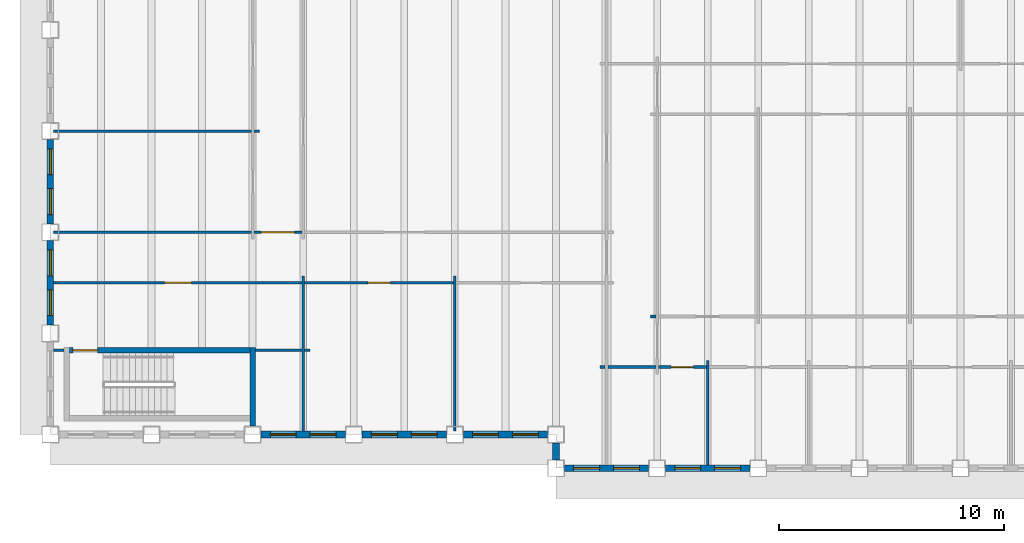
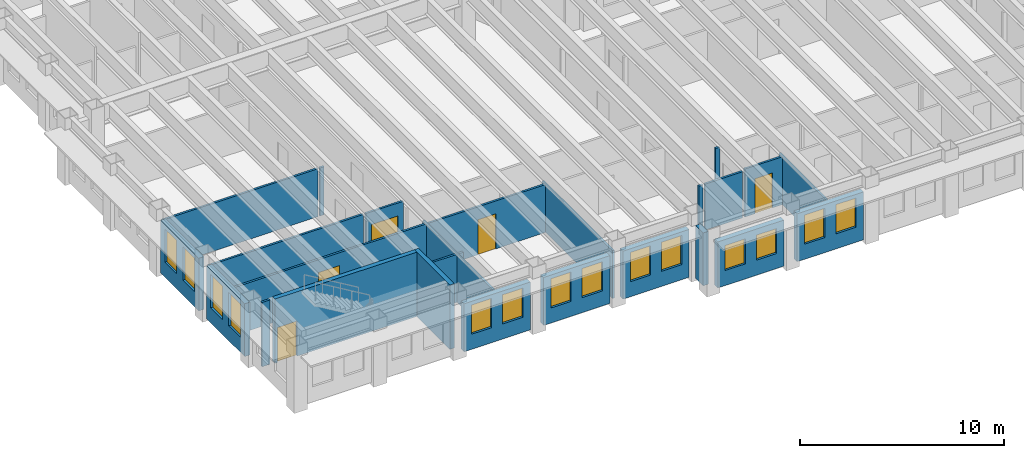
# One storey, part 3 of 17: 26 walls, 14 windows, 5 doors, 19 openings.
"""IFC4 building model written with IfcOpenShell, lengths in metres."""

from ifc_helpers import new_model, si_unit, direction, frame, frame_2d, origin, place, context, subcontext, project, spatial, rectangle, extrude, material, layer, layer_set, type_object, element, fill, save


model = new_model("IFC4")

# Units and contexts
model_context = context("Model", 3, precision=1e-05, world=origin(), true_north=direction((0.0, 1.0)))
body_context = subcontext(model_context, "Body", "Model", "MODEL_VIEW")
ifc_project = project(units=[si_unit("LENGTHUNIT", "METRE"), si_unit("AREAUNIT", "SQUARE_METRE"), si_unit("VOLUMEUNIT", "CUBIC_METRE"), si_unit("PLANEANGLEUNIT", "RADIAN"), si_unit("MASSUNIT", "GRAM", prefix="KILO")], contexts=[model_context])

# Site, building, storey
site_placement = place(None, origin())
site = spatial("IfcSite", under=ifc_project, at=site_placement, CompositionType="ELEMENT")
building_placement = place(site_placement, origin())
building = spatial("IfcBuilding", under=site, at=building_placement, Name="Sennacour Bend Tower", CompositionType="ELEMENT")
storey_placement = place(building_placement, frame((0.0, 0.0, 219.0)))
storey = spatial("IfcBuildingStorey", under=building, at=storey_placement, Name="L50", CompositionType="ELEMENT", Elevation=219.0)

# Walls
ifc_material_1 = material(Name="Plasterboard partition on steel studs", Category="steel")
ifc_layer_1 = layer(ifc_material_1, 0.1201171875, Name="Plasterboard partition on steel studs", Category="steel")
ifc_layer_set_1 = layer_set([ifc_layer_1], Name="Plasterboard partition on steel studs")
wall_type_1 = type_object("IfcWallType", Name="Partition 120", PredefinedType="PARTITIONING", material=ifc_layer_set_1)
for number, where, z_axis, x_axis, name in (
    (1, (11.25, 0.14990234375, 0.0), (0.0, 0.0, 1.0), (0.0, 1.0, 0.0), "P-L50-W012a"),
    (2, (18.0, 0.14990234375, 0.0), (0.0, 0.0, 1.0), (0.0, 1.0, 0.0), "P-L50-W017a"),
):
    element("IfcWall", number, at=place(storey_placement, frame(where, z_axis=z_axis, x_axis=x_axis)), inside=storey, type_object=wall_type_1, Name=name, PredefinedType="PARTITIONING", context=body_context, shape_type="SweptSolid", body=[
        extrude(rectangle(XDim=6.900146484375, YDim=0.1201171875, at=frame_2d((3.4501953125, 0.0))), origin(), (0.0, 0.0, 1.0), 2.8701171875),
    ])
wall_1_placement = place(storey_placement, frame((29.25, -1.35009765625, 0.0), z_axis=(0.0, 0.0, 1.0), x_axis=(0.0, 1.0, 0.0)))
element("IfcWall", 3, at=wall_1_placement, inside=storey, type_object=wall_type_1, Name="P-L50-W024a", PredefinedType="PARTITIONING", context=body_context, shape_type="SweptSolid", body=[
    extrude(rectangle(XDim=4.650146484375, YDim=0.1201171875, at=frame_2d((2.3251953125, 0.0))), origin(), (0.0, 0.0, 1.0), 2.8701171875),
])
wall_2_placement = place(storey_placement, frame((24.449951171875, 3.0, 0.0), z_axis=(0.0, 0.0, 1.0), x_axis=(1.0, 0.0, 0.0)))
element("IfcWall", 4, at=wall_2_placement, inside=storey, type_object=wall_type_1, Name="P-L50-W050aa", PredefinedType="PARTITIONING", context=body_context, shape_type="SweptSolid", body=[
    extrude(rectangle(XDim=0.239990234375, YDim=0.1201171875, at=frame_2d((0.1201171875, 0.0))), origin(), (0.0, 0.0, 1.0), 2.760009765625),
])
wall_3_placement = place(storey_placement, frame((24.81005859375, 3.0, 0.0), z_axis=(0.0, 0.0, 1.0), x_axis=(1.0, 0.0, 0.0)))
element("IfcWall", 5, at=wall_3_placement, inside=storey, type_object=wall_type_1, Name="P-L50-W050ab", PredefinedType="PARTITIONING", context=body_context, shape_type="SweptSolid", body=[
    extrude(rectangle(XDim=2.1298828125, YDim=0.1201171875, at=frame_2d((1.06494140625, 0.0))), origin(), (0.0, 0.0, 1.0), 2.760009765625),
])

# Wall, opening, door
wall_4_placement = place(storey_placement, frame((27.06005859375, 3.0, 0.0), z_axis=(0.0, 0.0, 1.0), x_axis=(1.0, 0.0, 0.0)))
wall_4 = element("IfcWall", 6, at=wall_4_placement, inside=storey, type_object=wall_type_1, Name="P-L50-W050ac", PredefinedType="PARTITIONING", context=body_context, shape_type="SweptSolid", body=[
    extrude(rectangle(XDim=2.1298828125, YDim=0.1201171875, at=frame_2d((1.06494140625, 0.0))), origin(), (0.0, 0.0, 1.0), 2.8701171875),
])
opening_1_placement = place(wall_4_placement, frame((0.56494140625, 0.0, 0.0)))
opening_1 = element("IfcOpeningElement", 7, at=opening_1_placement, cuts=wall_4, Name="Opening OD2", PredefinedType="OPENING", context=body_context, shape_type="SweptSolid", body=[
    extrude(rectangle(XDim=1.0, YDim=2.10009765625, at=frame_2d((0.5, 1.050048828125))), frame((0.0, 0.070068359375, 0.0), z_axis=(0.0, -1.0, 0.0), x_axis=(1.0, 0.0, 0.0)), (0.0, 0.0, 1.0), 0.14013671875),
])
ifc_material_2 = material(Name="Timber", Category="wood")
door_type_1 = type_object("IfcDoorType", Name="DR-OFFICE-1000", OperationType="NOTDEFINED", PredefinedType="DOOR", material=ifc_material_2)
door_1_placement = place(opening_1_placement, origin())
door_1 = element("IfcDoor", 8, at=door_1_placement, inside=storey, type_object=door_type_1, Name="Door", OperationType="SINGLE_SWING_LEFT", OverallHeight=2.10009765625, OverallWidth=1.0, PredefinedType="DOOR", context=body_context, shape_type="SweptSolid", body=[
    extrude(rectangle(XDim=1.0, YDim=2.10009765625, at=frame_2d((0.5, 1.050048828125))), frame((0.0, 0.02490234375, 0.0), z_axis=(0.0, -1.0, 0.0), x_axis=(1.0, 0.0, 0.0)), (0.0, 0.0, 1.0), 0.050048828125),
])
fill(opening_1, door_1)

# Walls
wall_5_placement = place(storey_placement, frame((0.14990234375, 3.75, 0.0), z_axis=(0.0, 0.0, 1.0), x_axis=(1.0, 0.0, 0.0)))
element("IfcWall", 9, at=wall_5_placement, inside=storey, type_object=wall_type_1, Name="P-L50-W051a", PredefinedType="PARTITIONING", context=body_context, shape_type="SweptSolid", body=[
    extrude(rectangle(XDim=0.4501953125, YDim=0.1201171875, at=frame_2d((0.22509765625, 0.0))), origin(), (0.0, 0.0, 1.0), 3.85009765625),
])
wall_6_placement = place(storey_placement, frame((9.125, 3.75, 0.0), z_axis=(0.0, 0.0, 1.0), x_axis=(1.0, 0.0, 0.0)))
element("IfcWall", 10, at=wall_6_placement, inside=storey, type_object=wall_type_1, Name="P-L50-W053aa", PredefinedType="PARTITIONING", context=body_context, shape_type="SweptSolid", body=[
    extrude(rectangle(XDim=2.06494140625, YDim=0.1201171875, at=frame_2d((1.032470703125, 0.0))), origin(), (0.0, 0.0, 1.0), 2.8701171875),
])
for number, where, z_axis, x_axis, name in (
    (11, (11.31005859375, 3.75, 0.0), (0.0, 0.0, 1.0), (1.0, 0.0, 0.0), "P-L50-W053ab"),
    (12, (26.699951171875, 5.25, 0.0), (0.0, 0.0, 1.0), (1.0, 0.0, 0.0), "P-L50-W056aa"),
):
    element("IfcWall", number, at=place(storey_placement, frame(where, z_axis=z_axis, x_axis=x_axis)), inside=storey, type_object=wall_type_1, Name=name, PredefinedType="PARTITIONING", context=body_context, shape_type="SweptSolid", body=[
        extrude(rectangle(XDim=0.239990234375, YDim=0.1201171875, at=frame_2d((0.1201171875, 0.0))), origin(), (0.0, 0.0, 1.0), 2.8701171875),
    ])

# Wall, opening, door
wall_7_placement = place(storey_placement, frame((11.31005859375, 6.75, 0.0), z_axis=(0.0, 0.0, 1.0), x_axis=(1.0, 0.0, 0.0)))
wall_7 = element("IfcWall", 13, at=wall_7_placement, inside=storey, type_object=wall_type_1, Name="P-L50-W058ab", PredefinedType="PARTITIONING", context=body_context, shape_type="SweptSolid", body=[
    extrude(rectangle(XDim=6.6298828125, YDim=0.1201171875, at=frame_2d((3.31494140625, 0.0))), origin(), (0.0, 0.0, 1.0), 2.8701171875),
])
opening_2_placement = place(wall_7_placement, frame((2.81494140625, 0.0, 0.0)))
opening_2 = element("IfcOpeningElement", 14, at=opening_2_placement, cuts=wall_7, Name="Opening OD2", PredefinedType="OPENING", context=body_context, shape_type="SweptSolid", body=[
    extrude(rectangle(XDim=1.0, YDim=2.10009765625, at=frame_2d((0.5, 1.050048828125))), frame((0.0, 0.070068359375, 0.0), z_axis=(0.0, -1.0, 0.0), x_axis=(1.0, 0.0, 0.0)), (0.0, 0.0, 1.0), 0.14013671875),
])
door_2_placement = place(opening_2_placement, origin())
door_2 = element("IfcDoor", 15, at=door_2_placement, inside=storey, type_object=door_type_1, Name="Door", OperationType="SINGLE_SWING_LEFT", OverallHeight=2.10009765625, OverallWidth=1.0, PredefinedType="DOOR", context=body_context, shape_type="SweptSolid", body=[
    extrude(rectangle(XDim=1.0, YDim=2.10009765625, at=frame_2d((0.5, 1.050048828125))), frame((0.0, 0.02490234375, 0.0), z_axis=(0.0, -1.0, 0.0), x_axis=(1.0, 0.0, 0.0)), (0.0, 0.0, 1.0), 0.050048828125),
])
fill(opening_2, door_2)

# Walls
for number, where, z_axis, x_axis, name in (
    (16, (0.14990234375, 9.0, 0.0), (0.0, 0.0, 1.0), (1.0, 0.0, 0.0), "P-L50-W060aa"),
    (17, (0.14990234375, 13.5, 0.0), (0.0, 0.0, 1.0), (1.0, 0.0, 0.0), "P-L50-W064aa"),
):
    element("IfcWall", number, at=place(storey_placement, frame(where, z_axis=z_axis, x_axis=x_axis)), inside=storey, type_object=wall_type_1, Name=name, PredefinedType="PARTITIONING", context=body_context, shape_type="SweptSolid", body=[
        extrude(rectangle(XDim=8.7900390625, YDim=0.1201171875, at=frame_2d((4.39501953125, 0.0))), origin(), (0.0, 0.0, 1.0), 2.8701171875),
    ])
wall_8_placement = place(storey_placement, frame((9.06005859375, 13.5, 0.0), z_axis=(0.0, 0.0, 1.0), x_axis=(1.0, 0.0, 0.0)))
element("IfcWall", 18, at=wall_8_placement, inside=storey, type_object=wall_type_1, Name="P-L50-W064ab", PredefinedType="PARTITIONING", context=body_context, shape_type="SweptSolid", body=[
    extrude(rectangle(XDim=0.239990234375, YDim=0.1201171875, at=frame_2d((0.1201171875, 0.0))), origin(), (0.0, 0.0, 1.0), 2.8701171875),
])

# Wall, opening, door
ifc_layer_2 = layer(ifc_material_1, 0.1201171875, Name="Plasterboard partition on steel studs", Category="steel")
ifc_layer_set_2 = layer_set([ifc_layer_2], Name="Plasterboard partition on steel studs")
wall_type_2 = type_object("IfcWallType", Name="Partition 120 EI 30", PredefinedType="PARTITIONING", material=ifc_layer_set_2)
wall_9_placement = place(storey_placement, frame((0.14990234375, 6.75, 0.0), z_axis=(0.0, 0.0, 1.0), x_axis=(1.0, 0.0, 0.0)))
wall_9 = element("IfcWall", 19, at=wall_9_placement, inside=storey, type_object=wall_type_2, Name="P-L50-W058aa", PredefinedType="PARTITIONING", context=body_context, shape_type="SweptSolid", body=[
    extrude(rectangle(XDim=11.0400390625, YDim=0.1201171875, at=frame_2d((5.52001953125, 0.0))), origin(), (0.0, 0.0, 1.0), 2.8701171875),
])
opening_3_placement = place(wall_9_placement, frame((4.93017578125, 0.0, 0.0)))
opening_3 = element("IfcOpeningElement", 20, at=opening_3_placement, cuts=wall_9, Name="Opening KD2", PredefinedType="OPENING", context=body_context, shape_type="SweptSolid", body=[
    extrude(rectangle(XDim=1.199951171875, YDim=2.10009765625, at=frame_2d((0.60009765625, 1.050048828125))), frame((0.0, 0.070068359375, 0.0), z_axis=(0.0, -1.0, 0.0), x_axis=(1.0, 0.0, 0.0)), (0.0, 0.0, 1.0), 0.14013671875),
])
ifc_material_3 = material(Name="Painted steel", Category="steel")
door_type_2 = type_object("IfcDoorType", Name="DR-CORRIDOR-1200", OperationType="NOTDEFINED", PredefinedType="DOOR", material=ifc_material_3)
door_3_placement = place(opening_3_placement, origin())
door_3 = element("IfcDoor", 21, at=door_3_placement, inside=storey, type_object=door_type_2, Name="Door", OperationType="SINGLE_SWING_LEFT", OverallHeight=2.10009765625, OverallWidth=1.199951171875, PredefinedType="DOOR", context=body_context, shape_type="SweptSolid", body=[
    extrude(rectangle(XDim=1.199951171875, YDim=2.10009765625, at=frame_2d((0.60009765625, 1.050048828125))), frame((0.0, 0.02490234375, 0.0), z_axis=(0.0, -1.0, 0.0), x_axis=(1.0, 0.0, 0.0)), (0.0, 0.0, 1.0), 0.050048828125),
])
fill(opening_3, door_3)

wall_10_placement = place(storey_placement, frame((9.06005859375, 9.0, 0.0), z_axis=(0.0, 0.0, 1.0), x_axis=(1.0, 0.0, 0.0)))
wall_10 = element("IfcWall", 22, at=wall_10_placement, inside=storey, type_object=wall_type_2, Name="P-L50-W060ab", PredefinedType="PARTITIONING", context=body_context, shape_type="SweptSolid", body=[
    extrude(rectangle(XDim=2.1298828125, YDim=0.1201171875, at=frame_2d((1.06494140625, 0.0))), origin(), (0.0, 0.0, 1.0), 2.8701171875),
])
opening_4_placement = place(wall_10_placement, frame((0.31494140625, 0.0, 0.0)))
opening_4 = element("IfcOpeningElement", 23, at=opening_4_placement, cuts=wall_10, Name="Opening KD", PredefinedType="OPENING", context=body_context, shape_type="SweptSolid", body=[
    extrude(rectangle(XDim=1.5, YDim=2.10009765625, at=frame_2d((0.75, 1.050048828125))), frame((0.0, 0.070068359375, 0.0), z_axis=(0.0, -1.0, 0.0), x_axis=(1.0, 0.0, 0.0)), (0.0, 0.0, 1.0), 0.14013671875),
])
door_type_3 = type_object("IfcDoorType", Name="DR-CORRIDOR-1500", OperationType="NOTDEFINED", PredefinedType="DOOR", material=ifc_material_3)
door_4_placement = place(opening_4_placement, origin())
door_4 = element("IfcDoor", 24, at=door_4_placement, inside=storey, type_object=door_type_3, Name="Door", OperationType="SINGLE_SWING_LEFT", OverallHeight=2.10009765625, OverallWidth=1.5, PredefinedType="DOOR", context=body_context, shape_type="SweptSolid", body=[
    extrude(rectangle(XDim=1.5, YDim=2.10009765625, at=frame_2d((0.75, 1.050048828125))), frame((0.0, 0.02490234375, 0.0), z_axis=(0.0, -1.0, 0.0), x_axis=(1.0, 0.0, 0.0)), (0.0, 0.0, 1.0), 0.050048828125),
])
fill(opening_4, door_4)

# Wall, openings, windows
ifc_material_4 = material(Name="Warm limestone cladding", Category="masonry")
ifc_layer_3 = layer(ifc_material_4, 0.050048828125, Name="Warm limestone cladding", Category="masonry")
ifc_material_5 = material(Name="Precast concrete C40/50", Category="concrete")
ifc_layer_4 = layer(ifc_material_5, 0.25, Name="Precast concrete C40/50", Category="concrete")
ifc_layer_set_3 = layer_set([ifc_layer_3, ifc_layer_4], Name="Precast concrete C40/50 with limestone cladding")
wall_type_3 = type_object("IfcWallType", Name="STONE-CLAD PRECAST SPANDREL 300", PredefinedType="STANDARD", material=ifc_layer_set_3)
wall_11_placement = place(storey_placement, frame((22.875, -1.5, 0.0), z_axis=(0.0, 0.0, 1.0), x_axis=(1.0, 0.0, 0.0)))
wall_11 = element("IfcWall", 25, at=wall_11_placement, inside=storey, type_object=wall_type_3, Name="Stone spandrel and pier wall L50 00.00", PredefinedType="STANDARD", context=body_context, shape_type="SweptSolid", body=[
    extrude(rectangle(XDim=3.75, YDim=0.300048828125, at=frame_2d((1.875, 0.0))), origin(), (0.0, 0.0, 1.0), 2.760009765625),
])
opening_5_placement = place(wall_11_placement, frame((0.41259765625, 0.0, 0.89990234375)))
opening_5 = element("IfcOpeningElement", 26, at=opening_5_placement, cuts=wall_11, Name="Opening W22", PredefinedType="OPENING", context=body_context, shape_type="SweptSolid", body=[
    extrude(rectangle(XDim=1.14990234375, YDim=1.5, at=frame_2d((0.574951171875, 0.75))), frame((0.0, 0.16015625, 0.0), z_axis=(0.0, -1.0, 0.0), x_axis=(1.0, 0.0, 0.0)), (0.0, 0.0, 1.0), 0.320068359375),
])
opening_6_placement = place(wall_11_placement, frame((2.1875, 0.0, 0.89990234375)))
opening_6 = element("IfcOpeningElement", 27, at=opening_6_placement, cuts=wall_11, Name="Opening W22", PredefinedType="OPENING", context=body_context, shape_type="SweptSolid", body=[
    extrude(rectangle(XDim=1.14990234375, YDim=1.5, at=frame_2d((0.574951171875, 0.75))), frame((0.0, 0.16015625, 0.0), z_axis=(0.0, -1.0, 0.0), x_axis=(1.0, 0.0, 0.0)), (0.0, 0.0, 1.0), 0.320068359375),
])
ifc_material_6 = material(Name="Clear low-emissivity glass", Category="glass")
window_type_1 = type_object("IfcWindowType", Name="WIN-RIBBON-1150x1500", PartitioningType="SINGLE_PANEL", PredefinedType="WINDOW", material=ifc_material_6)
window_1_placement = place(opening_5_placement, origin())
window_1 = element("IfcWindow", 28, at=window_1_placement, inside=storey, type_object=window_type_1, Name="Ribbon window L50 00.00.0", OverallHeight=1.5, OverallWidth=1.14990234375, PartitioningType="SINGLE_PANEL", PredefinedType="WINDOW", context=body_context, shape_type="SweptSolid", body=[
    extrude(rectangle(XDim=1.14990234375, YDim=1.5, at=frame_2d((0.574951171875, 0.75))), frame((0.0, 0.030029296875, 0.0), z_axis=(0.0, -1.0, 0.0), x_axis=(1.0, 0.0, 0.0)), (0.0, 0.0, 1.0), 0.06005859375),
])
fill(opening_5, window_1)
window_2_placement = place(opening_6_placement, origin())
window_2 = element("IfcWindow", 29, at=window_2_placement, inside=storey, type_object=window_type_1, Name="Ribbon window L50 00.00.1", OverallHeight=1.5, OverallWidth=1.14990234375, PartitioningType="SINGLE_PANEL", PredefinedType="WINDOW", context=body_context, shape_type="SweptSolid", body=[
    extrude(rectangle(XDim=1.14990234375, YDim=1.5, at=frame_2d((0.574951171875, 0.75))), frame((0.0, 0.030029296875, 0.0), z_axis=(0.0, -1.0, 0.0), x_axis=(1.0, 0.0, 0.0)), (0.0, 0.0, 1.0), 0.06005859375),
])
fill(opening_6, window_2)

wall_12_placement = place(storey_placement, frame((27.375, -1.5, 0.0), z_axis=(0.0, 0.0, 1.0), x_axis=(1.0, 0.0, 0.0)))
wall_12 = element("IfcWall", 30, at=wall_12_placement, inside=storey, type_object=wall_type_3, Name="Stone spandrel and pier wall L50 00.01", PredefinedType="STANDARD", context=body_context, shape_type="SweptSolid", body=[
    extrude(rectangle(XDim=3.75, YDim=0.300048828125, at=frame_2d((1.875, 0.0))), origin(), (0.0, 0.0, 1.0), 2.8701171875),
])
opening_7_placement = place(wall_12_placement, frame((0.41259765625, 0.0, 0.89990234375)))
opening_7 = element("IfcOpeningElement", 31, at=opening_7_placement, cuts=wall_12, Name="Opening W23", PredefinedType="OPENING", context=body_context, shape_type="SweptSolid", body=[
    extrude(rectangle(XDim=1.14990234375, YDim=1.75, at=frame_2d((0.574951171875, 0.875))), frame((0.0, 0.16015625, 0.0), z_axis=(0.0, -1.0, 0.0), x_axis=(1.0, 0.0, 0.0)), (0.0, 0.0, 1.0), 0.320068359375),
])
opening_8_placement = place(wall_12_placement, frame((2.1875, 0.0, 0.89990234375)))
opening_8 = element("IfcOpeningElement", 32, at=opening_8_placement, cuts=wall_12, Name="Opening W23", PredefinedType="OPENING", context=body_context, shape_type="SweptSolid", body=[
    extrude(rectangle(XDim=1.14990234375, YDim=1.75, at=frame_2d((0.574951171875, 0.875))), frame((0.0, 0.16015625, 0.0), z_axis=(0.0, -1.0, 0.0), x_axis=(1.0, 0.0, 0.0)), (0.0, 0.0, 1.0), 0.320068359375),
])
window_type_2 = type_object("IfcWindowType", Name="WIN-RIBBON-1150x1750", PartitioningType="SINGLE_PANEL", PredefinedType="WINDOW", material=ifc_material_6)
window_3_placement = place(opening_7_placement, origin())
window_3 = element("IfcWindow", 33, at=window_3_placement, inside=storey, type_object=window_type_2, Name="Ribbon window L50 00.01.0", OverallHeight=1.75, OverallWidth=1.14990234375, PartitioningType="SINGLE_PANEL", PredefinedType="WINDOW", context=body_context, shape_type="SweptSolid", body=[
    extrude(rectangle(XDim=1.14990234375, YDim=1.75, at=frame_2d((0.574951171875, 0.875))), frame((0.0, 0.030029296875, 0.0), z_axis=(0.0, -1.0, 0.0), x_axis=(1.0, 0.0, 0.0)), (0.0, 0.0, 1.0), 0.06005859375),
])
fill(opening_7, window_3)
window_4_placement = place(opening_8_placement, origin())
window_4 = element("IfcWindow", 34, at=window_4_placement, inside=storey, type_object=window_type_2, Name="Ribbon window L50 00.01.1", OverallHeight=1.75, OverallWidth=1.14990234375, PartitioningType="SINGLE_PANEL", PredefinedType="WINDOW", context=body_context, shape_type="SweptSolid", body=[
    extrude(rectangle(XDim=1.14990234375, YDim=1.75, at=frame_2d((0.574951171875, 0.875))), frame((0.0, 0.030029296875, 0.0), z_axis=(0.0, -1.0, 0.0), x_axis=(1.0, 0.0, 0.0)), (0.0, 0.0, 1.0), 0.06005859375),
])
fill(opening_8, window_4)

wall_13_placement = place(storey_placement, frame((0.0, 13.125, 0.0), z_axis=(0.0, 0.0, 1.0), x_axis=(0.0, -1.0, 0.0)))
wall_13 = element("IfcWall", 35, at=wall_13_placement, inside=storey, type_object=wall_type_3, Name="Stone spandrel and pier wall L50 21.02", PredefinedType="STANDARD", context=body_context, shape_type="SweptSolid", body=[
    extrude(rectangle(XDim=3.75, YDim=0.300048828125, at=frame_2d((1.875, 0.0))), origin(), (0.0, 0.0, 1.0), 3.156982421875),
])
opening_9_placement = place(wall_13_placement, frame((0.41259765625, 0.0, 0.89990234375)))
opening_9 = element("IfcOpeningElement", 36, at=opening_9_placement, cuts=wall_13, Name="Opening W24", PredefinedType="OPENING", context=body_context, shape_type="SweptSolid", body=[
    extrude(rectangle(XDim=1.14990234375, YDim=2.0, at=frame_2d((0.574951171875, 1.0))), frame((0.0, 0.16015625, 0.0), z_axis=(0.0, -1.0, 0.0), x_axis=(1.0, 0.0, 0.0)), (0.0, 0.0, 1.0), 0.320068359375),
])
opening_10_placement = place(wall_13_placement, frame((2.1875, 0.0, 0.89990234375)))
opening_10 = element("IfcOpeningElement", 37, at=opening_10_placement, cuts=wall_13, Name="Opening W24", PredefinedType="OPENING", context=body_context, shape_type="SweptSolid", body=[
    extrude(rectangle(XDim=1.14990234375, YDim=2.0, at=frame_2d((0.574951171875, 1.0))), frame((0.0, 0.16015625, 0.0), z_axis=(0.0, -1.0, 0.0), x_axis=(1.0, 0.0, 0.0)), (0.0, 0.0, 1.0), 0.320068359375),
])
window_type_3 = type_object("IfcWindowType", Name="WIN-RIBBON-1150x2000", PartitioningType="SINGLE_PANEL", PredefinedType="WINDOW", material=ifc_material_6)
window_5_placement = place(opening_9_placement, origin())
window_5 = element("IfcWindow", 38, at=window_5_placement, inside=storey, type_object=window_type_3, Name="Ribbon window L50 21.02.0", OverallHeight=2.0, OverallWidth=1.14990234375, PartitioningType="SINGLE_PANEL", PredefinedType="WINDOW", context=body_context, shape_type="SweptSolid", body=[
    extrude(rectangle(XDim=1.14990234375, YDim=2.0, at=frame_2d((0.574951171875, 1.0))), frame((0.0, 0.030029296875, 0.0), z_axis=(0.0, -1.0, 0.0), x_axis=(1.0, 0.0, 0.0)), (0.0, 0.0, 1.0), 0.06005859375),
])
fill(opening_9, window_5)
window_6_placement = place(opening_10_placement, origin())
window_6 = element("IfcWindow", 39, at=window_6_placement, inside=storey, type_object=window_type_3, Name="Ribbon window L50 21.02.1", OverallHeight=2.0, OverallWidth=1.14990234375, PartitioningType="SINGLE_PANEL", PredefinedType="WINDOW", context=body_context, shape_type="SweptSolid", body=[
    extrude(rectangle(XDim=1.14990234375, YDim=2.0, at=frame_2d((0.574951171875, 1.0))), frame((0.0, 0.030029296875, 0.0), z_axis=(0.0, -1.0, 0.0), x_axis=(1.0, 0.0, 0.0)), (0.0, 0.0, 1.0), 0.06005859375),
])
fill(opening_10, window_6)

wall_14_placement = place(storey_placement, frame((0.0, 8.625, 0.0), z_axis=(0.0, 0.0, 1.0), x_axis=(0.0, -1.0, 0.0)))
wall_14 = element("IfcWall", 40, at=wall_14_placement, inside=storey, type_object=wall_type_3, Name="Stone spandrel and pier wall L50 21.03", PredefinedType="STANDARD", context=body_context, shape_type="SweptSolid", body=[
    extrude(rectangle(XDim=3.75, YDim=0.300048828125, at=frame_2d((1.875, 0.0))), origin(), (0.0, 0.0, 1.0), 3.156982421875),
])
opening_11_placement = place(wall_14_placement, frame((0.41259765625, 0.0, 0.89990234375)))
opening_11 = element("IfcOpeningElement", 41, at=opening_11_placement, cuts=wall_14, Name="Opening W24", PredefinedType="OPENING", context=body_context, shape_type="SweptSolid", body=[
    extrude(rectangle(XDim=1.14990234375, YDim=2.0, at=frame_2d((0.574951171875, 1.0))), frame((0.0, 0.16015625, 0.0), z_axis=(0.0, -1.0, 0.0), x_axis=(1.0, 0.0, 0.0)), (0.0, 0.0, 1.0), 0.320068359375),
])
opening_12_placement = place(wall_14_placement, frame((2.1875, 0.0, 0.89990234375)))
opening_12 = element("IfcOpeningElement", 42, at=opening_12_placement, cuts=wall_14, Name="Opening W24", PredefinedType="OPENING", context=body_context, shape_type="SweptSolid", body=[
    extrude(rectangle(XDim=1.14990234375, YDim=2.0, at=frame_2d((0.574951171875, 1.0))), frame((0.0, 0.16015625, 0.0), z_axis=(0.0, -1.0, 0.0), x_axis=(1.0, 0.0, 0.0)), (0.0, 0.0, 1.0), 0.320068359375),
])
window_7_placement = place(opening_11_placement, origin())
window_7 = element("IfcWindow", 43, at=window_7_placement, inside=storey, type_object=window_type_3, Name="Ribbon window L50 21.03.0", OverallHeight=2.0, OverallWidth=1.14990234375, PartitioningType="SINGLE_PANEL", PredefinedType="WINDOW", context=body_context, shape_type="SweptSolid", body=[
    extrude(rectangle(XDim=1.14990234375, YDim=2.0, at=frame_2d((0.574951171875, 1.0))), frame((0.0, 0.030029296875, 0.0), z_axis=(0.0, -1.0, 0.0), x_axis=(1.0, 0.0, 0.0)), (0.0, 0.0, 1.0), 0.06005859375),
])
fill(opening_11, window_7)
window_8_placement = place(opening_12_placement, origin())
window_8 = element("IfcWindow", 44, at=window_8_placement, inside=storey, type_object=window_type_3, Name="Ribbon window L50 21.03.1", OverallHeight=2.0, OverallWidth=1.14990234375, PartitioningType="SINGLE_PANEL", PredefinedType="WINDOW", context=body_context, shape_type="SweptSolid", body=[
    extrude(rectangle(XDim=1.14990234375, YDim=2.0, at=frame_2d((0.574951171875, 1.0))), frame((0.0, 0.030029296875, 0.0), z_axis=(0.0, -1.0, 0.0), x_axis=(1.0, 0.0, 0.0)), (0.0, 0.0, 1.0), 0.06005859375),
])
fill(opening_12, window_8)

wall_15_placement = place(storey_placement, frame((9.375, 0.0, 0.0), z_axis=(0.0, 0.0, 1.0), x_axis=(1.0, 0.0, 0.0)))
wall_15 = element("IfcWall", 45, at=wall_15_placement, inside=storey, type_object=wall_type_3, Name="Stone spandrel and pier wall L50 22.02", PredefinedType="STANDARD", context=body_context, shape_type="SweptSolid", body=[
    extrude(rectangle(XDim=3.75, YDim=0.300048828125, at=frame_2d((1.875, 0.0))), origin(), (0.0, 0.0, 1.0), 2.8701171875),
])
opening_13_placement = place(wall_15_placement, frame((0.41259765625, 0.0, 0.89990234375)))
opening_13 = element("IfcOpeningElement", 46, at=opening_13_placement, cuts=wall_15, Name="Opening W23", PredefinedType="OPENING", context=body_context, shape_type="SweptSolid", body=[
    extrude(rectangle(XDim=1.14990234375, YDim=1.75, at=frame_2d((0.574951171875, 0.875))), frame((0.0, 0.16015625, 0.0), z_axis=(0.0, -1.0, 0.0), x_axis=(1.0, 0.0, 0.0)), (0.0, 0.0, 1.0), 0.320068359375),
])
opening_14_placement = place(wall_15_placement, frame((2.1875, 0.0, 0.89990234375)))
opening_14 = element("IfcOpeningElement", 47, at=opening_14_placement, cuts=wall_15, Name="Opening W23", PredefinedType="OPENING", context=body_context, shape_type="SweptSolid", body=[
    extrude(rectangle(XDim=1.14990234375, YDim=1.75, at=frame_2d((0.574951171875, 0.875))), frame((0.0, 0.16015625, 0.0), z_axis=(0.0, -1.0, 0.0), x_axis=(1.0, 0.0, 0.0)), (0.0, 0.0, 1.0), 0.320068359375),
])
window_9_placement = place(opening_13_placement, origin())
window_9 = element("IfcWindow", 48, at=window_9_placement, inside=storey, type_object=window_type_2, Name="Ribbon window L50 22.02.0", OverallHeight=1.75, OverallWidth=1.14990234375, PartitioningType="SINGLE_PANEL", PredefinedType="WINDOW", context=body_context, shape_type="SweptSolid", body=[
    extrude(rectangle(XDim=1.14990234375, YDim=1.75, at=frame_2d((0.574951171875, 0.875))), frame((0.0, 0.030029296875, 0.0), z_axis=(0.0, -1.0, 0.0), x_axis=(1.0, 0.0, 0.0)), (0.0, 0.0, 1.0), 0.06005859375),
])
fill(opening_13, window_9)
window_10_placement = place(opening_14_placement, origin())
window_10 = element("IfcWindow", 49, at=window_10_placement, inside=storey, type_object=window_type_2, Name="Ribbon window L50 22.02.1", OverallHeight=1.75, OverallWidth=1.14990234375, PartitioningType="SINGLE_PANEL", PredefinedType="WINDOW", context=body_context, shape_type="SweptSolid", body=[
    extrude(rectangle(XDim=1.14990234375, YDim=1.75, at=frame_2d((0.574951171875, 0.875))), frame((0.0, 0.030029296875, 0.0), z_axis=(0.0, -1.0, 0.0), x_axis=(1.0, 0.0, 0.0)), (0.0, 0.0, 1.0), 0.06005859375),
])
fill(opening_14, window_10)

wall_16_placement = place(storey_placement, frame((13.875, 0.0, 0.0), z_axis=(0.0, 0.0, 1.0), x_axis=(1.0, 0.0, 0.0)))
wall_16 = element("IfcWall", 50, at=wall_16_placement, inside=storey, type_object=wall_type_3, Name="Stone spandrel and pier wall L50 22.03", PredefinedType="STANDARD", context=body_context, shape_type="SweptSolid", body=[
    extrude(rectangle(XDim=3.75, YDim=0.300048828125, at=frame_2d((1.875, 0.0))), origin(), (0.0, 0.0, 1.0), 2.8701171875),
])
opening_15_placement = place(wall_16_placement, frame((0.41259765625, 0.0, 0.89990234375)))
opening_15 = element("IfcOpeningElement", 51, at=opening_15_placement, cuts=wall_16, Name="Opening W23", PredefinedType="OPENING", context=body_context, shape_type="SweptSolid", body=[
    extrude(rectangle(XDim=1.14990234375, YDim=1.75, at=frame_2d((0.574951171875, 0.875))), frame((0.0, 0.16015625, 0.0), z_axis=(0.0, -1.0, 0.0), x_axis=(1.0, 0.0, 0.0)), (0.0, 0.0, 1.0), 0.320068359375),
])
opening_16_placement = place(wall_16_placement, frame((2.1875, 0.0, 0.89990234375)))
opening_16 = element("IfcOpeningElement", 52, at=opening_16_placement, cuts=wall_16, Name="Opening W23", PredefinedType="OPENING", context=body_context, shape_type="SweptSolid", body=[
    extrude(rectangle(XDim=1.14990234375, YDim=1.75, at=frame_2d((0.574951171875, 0.875))), frame((0.0, 0.16015625, 0.0), z_axis=(0.0, -1.0, 0.0), x_axis=(1.0, 0.0, 0.0)), (0.0, 0.0, 1.0), 0.320068359375),
])
window_11_placement = place(opening_15_placement, origin())
window_11 = element("IfcWindow", 53, at=window_11_placement, inside=storey, type_object=window_type_2, Name="Ribbon window L50 22.03.0", OverallHeight=1.75, OverallWidth=1.14990234375, PartitioningType="SINGLE_PANEL", PredefinedType="WINDOW", context=body_context, shape_type="SweptSolid", body=[
    extrude(rectangle(XDim=1.14990234375, YDim=1.75, at=frame_2d((0.574951171875, 0.875))), frame((0.0, 0.030029296875, 0.0), z_axis=(0.0, -1.0, 0.0), x_axis=(1.0, 0.0, 0.0)), (0.0, 0.0, 1.0), 0.06005859375),
])
fill(opening_15, window_11)
window_12_placement = place(opening_16_placement, origin())
window_12 = element("IfcWindow", 54, at=window_12_placement, inside=storey, type_object=window_type_2, Name="Ribbon window L50 22.03.1", OverallHeight=1.75, OverallWidth=1.14990234375, PartitioningType="SINGLE_PANEL", PredefinedType="WINDOW", context=body_context, shape_type="SweptSolid", body=[
    extrude(rectangle(XDim=1.14990234375, YDim=1.75, at=frame_2d((0.574951171875, 0.875))), frame((0.0, 0.030029296875, 0.0), z_axis=(0.0, -1.0, 0.0), x_axis=(1.0, 0.0, 0.0)), (0.0, 0.0, 1.0), 0.06005859375),
])
fill(opening_16, window_12)

wall_17_placement = place(storey_placement, frame((18.375, 0.0, 0.0), z_axis=(0.0, 0.0, 1.0), x_axis=(1.0, 0.0, 0.0)))
wall_17 = element("IfcWall", 55, at=wall_17_placement, inside=storey, type_object=wall_type_3, Name="Stone spandrel and pier wall L50 22.04", PredefinedType="STANDARD", context=body_context, shape_type="SweptSolid", body=[
    extrude(rectangle(XDim=3.75, YDim=0.300048828125, at=frame_2d((1.875, 0.0))), origin(), (0.0, 0.0, 1.0), 2.8701171875),
])
opening_17_placement = place(wall_17_placement, frame((0.41259765625, 0.0, 0.89990234375)))
opening_17 = element("IfcOpeningElement", 56, at=opening_17_placement, cuts=wall_17, Name="Opening W23", PredefinedType="OPENING", context=body_context, shape_type="SweptSolid", body=[
    extrude(rectangle(XDim=1.14990234375, YDim=1.75, at=frame_2d((0.574951171875, 0.875))), frame((0.0, 0.16015625, 0.0), z_axis=(0.0, -1.0, 0.0), x_axis=(1.0, 0.0, 0.0)), (0.0, 0.0, 1.0), 0.320068359375),
])
opening_18_placement = place(wall_17_placement, frame((2.1875, 0.0, 0.89990234375)))
opening_18 = element("IfcOpeningElement", 57, at=opening_18_placement, cuts=wall_17, Name="Opening W23", PredefinedType="OPENING", context=body_context, shape_type="SweptSolid", body=[
    extrude(rectangle(XDim=1.14990234375, YDim=1.75, at=frame_2d((0.574951171875, 0.875))), frame((0.0, 0.16015625, 0.0), z_axis=(0.0, -1.0, 0.0), x_axis=(1.0, 0.0, 0.0)), (0.0, 0.0, 1.0), 0.320068359375),
])
window_13_placement = place(opening_17_placement, origin())
window_13 = element("IfcWindow", 58, at=window_13_placement, inside=storey, type_object=window_type_2, Name="Ribbon window L50 22.04.0", OverallHeight=1.75, OverallWidth=1.14990234375, PartitioningType="SINGLE_PANEL", PredefinedType="WINDOW", context=body_context, shape_type="SweptSolid", body=[
    extrude(rectangle(XDim=1.14990234375, YDim=1.75, at=frame_2d((0.574951171875, 0.875))), frame((0.0, 0.030029296875, 0.0), z_axis=(0.0, -1.0, 0.0), x_axis=(1.0, 0.0, 0.0)), (0.0, 0.0, 1.0), 0.06005859375),
])
fill(opening_17, window_13)
window_14_placement = place(opening_18_placement, origin())
window_14 = element("IfcWindow", 59, at=window_14_placement, inside=storey, type_object=window_type_2, Name="Ribbon window L50 22.04.1", OverallHeight=1.75, OverallWidth=1.14990234375, PartitioningType="SINGLE_PANEL", PredefinedType="WINDOW", context=body_context, shape_type="SweptSolid", body=[
    extrude(rectangle(XDim=1.14990234375, YDim=1.75, at=frame_2d((0.574951171875, 0.875))), frame((0.0, 0.030029296875, 0.0), z_axis=(0.0, -1.0, 0.0), x_axis=(1.0, 0.0, 0.0)), (0.0, 0.0, 1.0), 0.06005859375),
])
fill(opening_18, window_14)

# Walls
wall_18_placement = place(storey_placement, frame((22.5, -0.375, 0.0), z_axis=(0.0, 0.0, 1.0), x_axis=(0.0, -1.0, 0.0)))
element("IfcWall", 60, at=wall_18_placement, inside=storey, type_object=wall_type_3, Name="Stone spandrel and pier wall L50 23.00", PredefinedType="STANDARD", context=body_context, shape_type="SweptSolid", body=[
    extrude(rectangle(XDim=0.75, YDim=0.300048828125, at=frame_2d((0.375, 0.0))), origin(), (0.0, 0.0, 1.0), 3.156982421875),
])
ifc_material_7 = material(Name="Concrete C60/75", Category="concrete")
ifc_layer_5 = layer(ifc_material_7, 0.25, Name="Concrete C60/75", Category="concrete")
ifc_layer_set_4 = layer_set([ifc_layer_5], Name="Concrete C60/75")
wall_type_4 = type_object("IfcWallType", Name="Stair wall 250", PredefinedType="SHEAR", material=ifc_layer_set_4)
wall_19_placement = place(storey_placement, frame((9.0, 0.375, 0.0), z_axis=(0.0, 0.0, 1.0), x_axis=(0.0, 1.0, 0.0)))
element("IfcWall", 61, at=wall_19_placement, inside=storey, type_object=wall_type_4, Name="P-L50-W009", PredefinedType="SHEAR", context=body_context, shape_type="SweptSolid", body=[
    extrude(rectangle(XDim=3.5, YDim=0.25, at=frame_2d((1.75, 0.0))), origin(), (0.0, 0.0, 1.0), 3.85009765625),
])

# Wall, opening, door
wall_20_placement = place(storey_placement, frame((0.85009765625, 3.75, 0.0), z_axis=(0.0, 0.0, 1.0), x_axis=(1.0, 0.0, 0.0)))
wall_20 = element("IfcWall", 62, at=wall_20_placement, inside=storey, type_object=wall_type_4, Name="P-L50-W052", PredefinedType="SHEAR", context=body_context, shape_type="SweptSolid", body=[
    extrude(rectangle(XDim=8.02490234375, YDim=0.25, at=frame_2d((4.012451171875, 0.0))), origin(), (0.0, 0.0, 1.0), 3.85009765625),
])
opening_19_placement = place(wall_20_placement, frame((0.14990234375, 0.0, 0.0)))
opening_19 = element("IfcOpeningElement", 63, at=opening_19_placement, cuts=wall_20, Name="Opening SD", PredefinedType="OPENING", context=body_context, shape_type="SweptSolid", body=[
    extrude(rectangle(XDim=1.10009765625, YDim=2.10009765625, at=frame_2d((0.550048828125, 1.050048828125))), frame((0.0, 0.135009765625, 0.0), z_axis=(0.0, -1.0, 0.0), x_axis=(1.0, 0.0, 0.0)), (0.0, 0.0, 1.0), 0.27001953125),
])
door_type_4 = type_object("IfcDoorType", Name="DR-STAIR-1100", OperationType="NOTDEFINED", PredefinedType="DOOR", material=ifc_material_3)
door_5_placement = place(opening_19_placement, origin())
door_5 = element("IfcDoor", 64, at=door_5_placement, inside=storey, type_object=door_type_4, Name="Door", OperationType="SINGLE_SWING_LEFT", OverallHeight=2.10009765625, OverallWidth=1.10009765625, PredefinedType="DOOR", context=body_context, shape_type="SweptSolid", body=[
    extrude(rectangle(XDim=1.10009765625, YDim=2.10009765625, at=frame_2d((0.550048828125, 1.050048828125))), frame((0.0, 0.02490234375, 0.0), z_axis=(0.0, -1.0, 0.0), x_axis=(1.0, 0.0, 0.0)), (0.0, 0.0, 1.0), 0.050048828125),
])
fill(opening_19, door_5)

save(model, "model.ifc")
